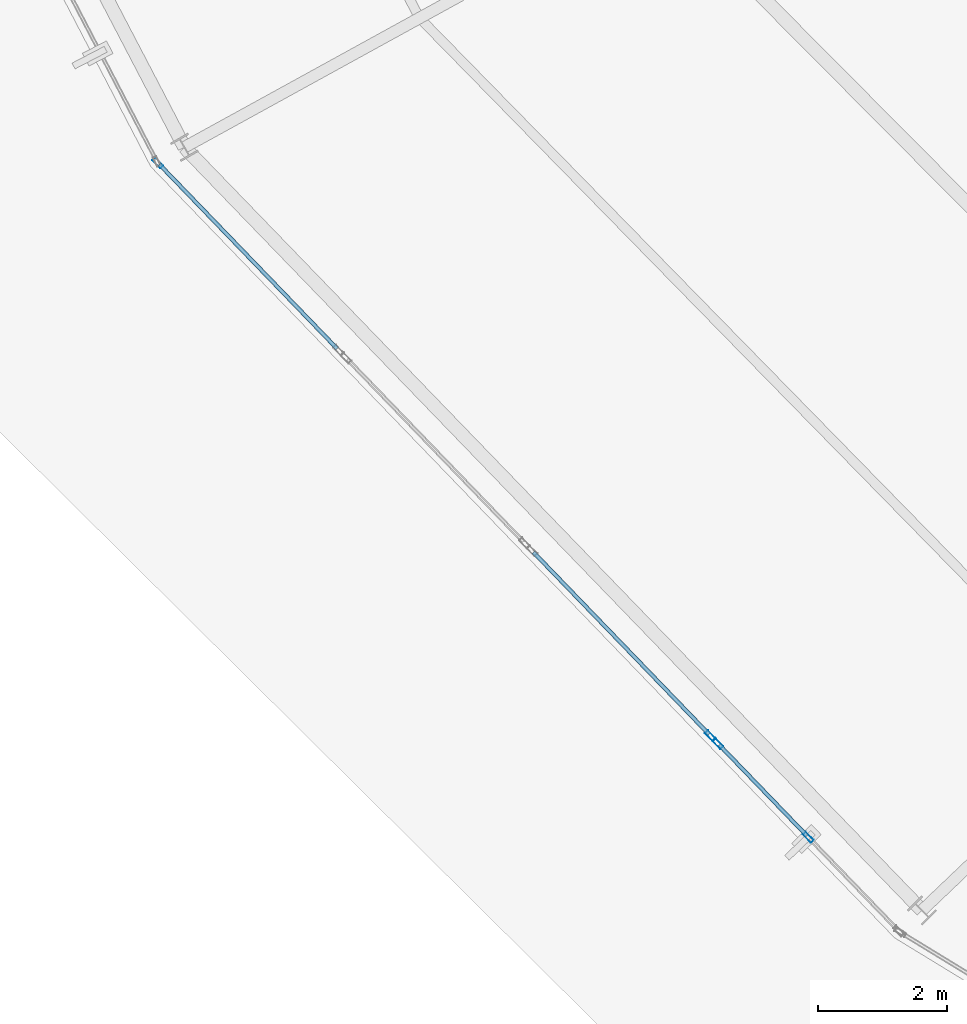
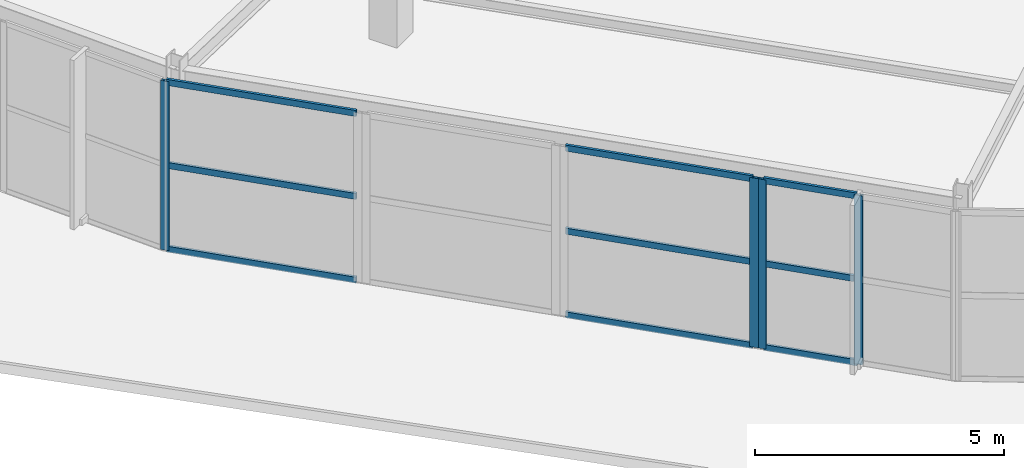
# One storey, part 12 of 126: 13 members, 3 elements without a shape of their own.
"""IFC4 building model written with IfcOpenShell, lengths in metres."""

from ifc_helpers import new_model, si_unit, direction, frame, origin, origin_2d, place, context, subcontext, project, spatial, hollow_rectangle, extrude, material, layer, layer_set, material_profile, profile_set, type_object, element, aggregate, save


model = new_model("IFC4")

# Units and contexts
model_context = context("Model", 3, precision=1e-05, world=origin(), true_north=direction((0.0, 1.0)))
body_context = subcontext(model_context, "Body", "Model", "MODEL_VIEW")
ifc_project = project(units=[si_unit("LENGTHUNIT", "METRE"), si_unit("AREAUNIT", "SQUARE_METRE"), si_unit("VOLUMEUNIT", "CUBIC_METRE"), si_unit("PLANEANGLEUNIT", "RADIAN"), si_unit("MASSUNIT", "GRAM", prefix="KILO")], contexts=[model_context])

# Site, building, storey
site_placement = place(None, origin())
site = spatial("IfcSite", under=ifc_project, at=site_placement, CompositionType="ELEMENT")
building_placement = place(site_placement, origin())
building = spatial("IfcBuilding", under=site, at=building_placement, Name="Kalgoora Escarpment Arena", CompositionType="ELEMENT")
storey_placement = place(building_placement, frame((0.0, 0.0, 18.89990234375)))
storey = spatial("IfcBuildingStorey", under=building, at=storey_placement, Name="L04", CompositionType="ELEMENT", Elevation=18.89990234375)

# Curtain wall, members
ifc_material_1 = material(Name=" Champagne anodised aluminium & double-glazed low-E", Category="aluminium")
ifc_layer_1 = layer(ifc_material_1, 0.157958984375)
ifc_layer_set_1 = layer_set([ifc_layer_1], Name="CW-UNIT-07")
curtain_wall_type_1 = type_object("IfcCurtainWallType", Name="CW-UNIT-07", PredefinedType="NOTDEFINED", material=ifc_layer_set_1)
curtain_wall_1_placement = place(storey_placement, origin())
curtain_wall_1 = element("IfcCurtainWall", 1, at=curtain_wall_1_placement, inside=storey, type_object=curtain_wall_type_1, Name="L04 unitised facade curtain wall 126", PredefinedType="NOTDEFINED")
ifc_material_2 = material(Name="Anodised aluminium 6063-T6", Category="aluminium")
ifc_material_profile_1 = material_profile(ifc_material_2, hollow_rectangle(XDim=0.06494140625, YDim=0.179931640625, WallThickness=0.00390625, at=origin_2d()))
ifc_profile_set_1 = profile_set([ifc_material_profile_1], Name="Anodised aluminium 6063-T6")
member_type_1 = type_object("IfcMemberType", Name="MEM-CW-MULL-180", PredefinedType="MULLION", material=ifc_profile_set_1)
member_1_placement = place(storey_placement, frame((39.87109375, 24.8271484375, 0.02001953125), z_axis=(0.0, 0.0, 1.0), x_axis=(-0.719779772297, -0.69420247723, 0.0)))
member_1 = element("IfcMember", 2, at=member_1_placement, type_object=member_type_1, Name="CW-07 mullion 2", PredefinedType="MULLION", context=body_context, shape_type="SweptSolid", body=[
    extrude(hollow_rectangle(XDim=0.06494140625, YDim=0.179931640625, WallThickness=0.00390625, at=origin_2d()), origin(), (0.0, 0.0, 1.0), 4.150146484375),
])
member_2_placement = place(storey_placement, frame((38.47265625, 26.27685546875, 0.02001953125), z_axis=(0.0, 0.0, 1.0), x_axis=(-0.719779772297, -0.69420247723, 0.0)))
member_2 = element("IfcMember", 3, at=member_2_placement, type_object=member_type_1, Name="CW-07 mullion 3", PredefinedType="MULLION", context=body_context, shape_type="SweptSolid", body=[
    extrude(hollow_rectangle(XDim=0.06494140625, YDim=0.179931640625, WallThickness=0.00390625, at=origin_2d()), origin(), (0.0, 0.0, 1.0), 4.150146484375),
])

# Curtain wall, member
ifc_material_3 = material(Name=" Champagne anodised aluminium & double-glazed low-E", Category="aluminium")
ifc_layer_2 = layer(ifc_material_3, 0.162109375)
ifc_layer_set_2 = layer_set([ifc_layer_2], Name="CW-UNIT-08")
curtain_wall_type_2 = type_object("IfcCurtainWallType", Name="CW-UNIT-08", PredefinedType="NOTDEFINED", material=ifc_layer_set_2)
curtain_wall_2_placement = place(storey_placement, origin())
curtain_wall_2 = element("IfcCurtainWall", 4, at=curtain_wall_2_placement, inside=storey, type_object=curtain_wall_type_2, Name="L04 unitised facade curtain wall 127", PredefinedType="NOTDEFINED")
member_3_placement = place(storey_placement, frame((38.358154296875, 26.3955078125, 0.02001953125), z_axis=(0.0, 0.0, 1.0), x_axis=(-0.719777208849, -0.694205135116, 0.0)))
member_3 = element("IfcMember", 5, at=member_3_placement, type_object=member_type_1, Name="CW-08 mullion 1", PredefinedType="MULLION", context=body_context, shape_type="SweptSolid", body=[
    extrude(hollow_rectangle(XDim=0.06494140625, YDim=0.179931640625, WallThickness=0.00390625, at=origin_2d()), origin(), (0.0, 0.0, 1.0), 4.150146484375),
])

ifc_material_4 = material(Name=" Champagne anodised aluminium & double-glazed low-E", Category="aluminium")
ifc_layer_3 = layer(ifc_material_4, 0.14990234375)
ifc_layer_set_3 = layer_set([ifc_layer_3], Name="CW-UNIT-10")
curtain_wall_type_3 = type_object("IfcCurtainWallType", Name="CW-UNIT-10", PredefinedType="NOTDEFINED", material=ifc_layer_set_3)
curtain_wall_3_placement = place(storey_placement, origin())
curtain_wall_3 = element("IfcCurtainWall", 6, at=curtain_wall_3_placement, inside=storey, type_object=curtain_wall_type_3, Name="L04 unitised facade curtain wall 129", PredefinedType="NOTDEFINED")
member_4_placement = place(storey_placement, frame((29.808837890625, 35.260009765625, 0.02001953125), z_axis=(0.0, 0.0, 1.0), x_axis=(-0.719779772297, -0.69420247723, 0.0)))
member_4 = element("IfcMember", 7, at=member_4_placement, type_object=member_type_1, Name="CW-10 mullion 2", PredefinedType="MULLION", context=body_context, shape_type="SweptSolid", body=[
    extrude(hollow_rectangle(XDim=0.06494140625, YDim=0.179931640625, WallThickness=0.00390625, at=origin_2d()), origin(), (0.0, 0.0, 1.0), 4.150146484375),
])

# Member
ifc_material_5 = material(Name="Anodised aluminium 6063-T6", Category="aluminium")
ifc_material_profile_2 = material_profile(ifc_material_5, hollow_rectangle(XDim=0.06005859375, YDim=0.14990234375, WallThickness=0.00341796875, at=origin_2d()))
ifc_profile_set_2 = profile_set([ifc_material_profile_2], Name="Anodised aluminium 6063-T6")
member_type_2 = type_object("IfcMemberType", Name="MEM-CW-TRAN-150", PredefinedType="USERDEFINED", material=ifc_profile_set_2)
member_5_placement = place(storey_placement, frame((39.848388671875, 24.8505859375, 0.050048828125), z_axis=(-0.694214384368, 0.719768288087, 0.0), x_axis=(-0.719768288087, -0.694214384368, 0.0)))
member_5 = element("IfcMember", 8, at=member_5_placement, type_object=member_type_2, Name="CW-07 transom 2.1", ObjectType="TRANSOM", PredefinedType="USERDEFINED", context=body_context, shape_type="SweptSolid", body=[
    extrude(hollow_rectangle(XDim=0.06005859375, YDim=0.14990234375, WallThickness=0.00341796875, at=origin_2d()), origin(), (0.0, 0.0, 1.0), 1.948974609375),
])

member_6_placement = place(storey_placement, frame((39.848388671875, 24.8505859375, 2.10498046875), z_axis=(-0.694214384368, 0.719768288087, 0.0), x_axis=(-0.719768288087, -0.694214384368, 0.0)))
member_6 = element("IfcMember", 9, at=member_6_placement, type_object=member_type_2, Name="CW-07 transom 2.2", ObjectType="TRANSOM", PredefinedType="USERDEFINED", context=body_context, shape_type="SweptSolid", body=[
    extrude(hollow_rectangle(XDim=0.06005859375, YDim=0.14990234375, WallThickness=0.00341796875, at=origin_2d()), origin(), (0.0, 0.0, 1.0), 1.948974609375),
])

member_7_placement = place(storey_placement, frame((39.848388671875, 24.8505859375, 4.14013671875), z_axis=(-0.694214384368, 0.719768288087, 0.0), x_axis=(-0.719768288087, -0.694214384368, 0.0)))
member_7 = element("IfcMember", 10, at=member_7_placement, type_object=member_type_2, Name="CW-07 transom 2.3", ObjectType="TRANSOM", PredefinedType="USERDEFINED", context=body_context, shape_type="SweptSolid", body=[
    extrude(hollow_rectangle(XDim=0.06005859375, YDim=0.14990234375, WallThickness=0.00341796875, at=origin_2d()), origin(), (0.0, 0.0, 1.0), 1.948974609375),
])

aggregate(curtain_wall_1, [member_1, member_2, member_5, member_6, member_7])

member_8_placement = place(storey_placement, frame((38.335693359375, 26.4189453125, 0.050048828125), z_axis=(-0.694202527693, 0.719779723627, 0.0), x_axis=(-0.719779723627, -0.694202527693, 0.0)))
member_8 = element("IfcMember", 11, at=member_8_placement, type_object=member_type_2, Name="CW-08 transom 1.1", ObjectType="TRANSOM", PredefinedType="USERDEFINED", context=body_context, shape_type="SweptSolid", body=[
    extrude(hollow_rectangle(XDim=0.06005859375, YDim=0.14990234375, WallThickness=0.00341796875, at=origin_2d()), origin(), (0.0, 0.0, 1.0), 3.91357421875),
])

member_9_placement = place(storey_placement, frame((38.335693359375, 26.4189453125, 2.10498046875), z_axis=(-0.694202527693, 0.719779723627, 0.0), x_axis=(-0.719779723627, -0.694202527693, 0.0)))
member_9 = element("IfcMember", 12, at=member_9_placement, type_object=member_type_2, Name="CW-08 transom 1.2", ObjectType="TRANSOM", PredefinedType="USERDEFINED", context=body_context, shape_type="SweptSolid", body=[
    extrude(hollow_rectangle(XDim=0.06005859375, YDim=0.14990234375, WallThickness=0.00341796875, at=origin_2d()), origin(), (0.0, 0.0, 1.0), 3.91357421875),
])

member_10_placement = place(storey_placement, frame((38.335693359375, 26.4189453125, 4.14013671875), z_axis=(-0.694202527693, 0.719779723627, 0.0), x_axis=(-0.719779723627, -0.694202527693, 0.0)))
member_10 = element("IfcMember", 13, at=member_10_placement, type_object=member_type_2, Name="CW-08 transom 1.3", ObjectType="TRANSOM", PredefinedType="USERDEFINED", context=body_context, shape_type="SweptSolid", body=[
    extrude(hollow_rectangle(XDim=0.06005859375, YDim=0.14990234375, WallThickness=0.00341796875, at=origin_2d()), origin(), (0.0, 0.0, 1.0), 3.91357421875),
])

aggregate(curtain_wall_2, [member_3, member_8, member_9, member_10])

member_11_placement = place(storey_placement, frame((32.582763671875, 32.3837890625, 0.050048828125), z_axis=(-0.694209663664, 0.719772841163, 0.0), x_axis=(-0.719772841163, -0.694209663664, 0.0)))
member_11 = element("IfcMember", 14, at=member_11_placement, type_object=member_type_2, Name="CW-10 transom 1.1", ObjectType="TRANSOM", PredefinedType="USERDEFINED", context=body_context, shape_type="SweptSolid", body=[
    extrude(hollow_rectangle(XDim=0.06005859375, YDim=0.14990234375, WallThickness=0.00341796875, at=origin_2d()), origin(), (0.0, 0.0, 1.0), 3.96337890625),
])

member_12_placement = place(storey_placement, frame((32.582763671875, 32.3837890625, 2.10498046875), z_axis=(-0.694209663664, 0.719772841163, 0.0), x_axis=(-0.719772841163, -0.694209663664, 0.0)))
member_12 = element("IfcMember", 15, at=member_12_placement, type_object=member_type_2, Name="CW-10 transom 1.2", ObjectType="TRANSOM", PredefinedType="USERDEFINED", context=body_context, shape_type="SweptSolid", body=[
    extrude(hollow_rectangle(XDim=0.06005859375, YDim=0.14990234375, WallThickness=0.00341796875, at=origin_2d()), origin(), (0.0, 0.0, 1.0), 3.96337890625),
])

member_13_placement = place(storey_placement, frame((32.582763671875, 32.3837890625, 4.14013671875), z_axis=(-0.694209663664, 0.719772841163, 0.0), x_axis=(-0.719772841163, -0.694209663664, 0.0)))
member_13 = element("IfcMember", 16, at=member_13_placement, type_object=member_type_2, Name="CW-10 transom 1.3", ObjectType="TRANSOM", PredefinedType="USERDEFINED", context=body_context, shape_type="SweptSolid", body=[
    extrude(hollow_rectangle(XDim=0.06005859375, YDim=0.14990234375, WallThickness=0.00341796875, at=origin_2d()), origin(), (0.0, 0.0, 1.0), 3.96337890625),
])

aggregate(curtain_wall_3, [member_4, member_11, member_12, member_13])

save(model, "model.ifc")
